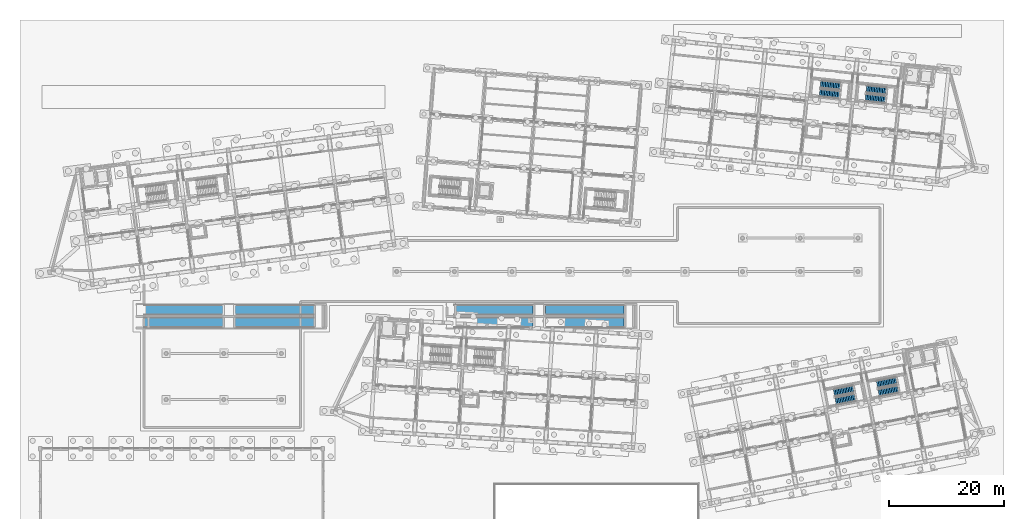
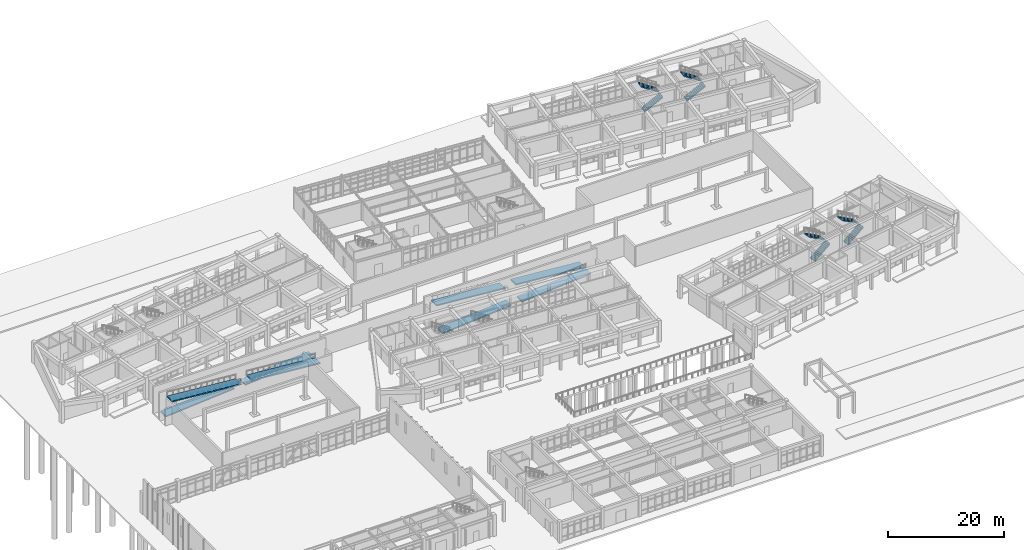
# One storey, part 132 of 154: 8 ramp flights, 8 stair flights, 8 elements without a shape of their own.
"""IFC4 building model written with IfcOpenShell, lengths in metres."""

from ifc_helpers import new_model, si_unit, direction, frame, origin, place, context, subcontext, project, spatial, polyline, outline, extrude, material, layer, layer_set, type_object, element, aggregate, save


model = new_model("IFC4")

# Units and contexts
model_context = context("Model", 3, precision=1e-05, world=origin(), true_north=direction((0.0, 1.0)))
body_context = subcontext(model_context, "Body", "Model", "MODEL_VIEW")
ifc_project = project(units=[si_unit("LENGTHUNIT", "METRE"), si_unit("AREAUNIT", "SQUARE_METRE"), si_unit("VOLUMEUNIT", "CUBIC_METRE"), si_unit("PLANEANGLEUNIT", "RADIAN"), si_unit("MASSUNIT", "GRAM", prefix="KILO")], contexts=[model_context])

# Site, building, storey
site_placement = place(None, origin())
site = spatial("IfcSite", under=ifc_project, at=site_placement, CompositionType="ELEMENT")
building_placement = place(site_placement, origin())
building = spatial("IfcBuilding", under=site, at=building_placement, Name="Kestramere Prow Commons", CompositionType="ELEMENT")
storey_placement = place(building_placement, origin())
storey = spatial("IfcBuildingStorey", under=building, at=storey_placement, Name="L00", CompositionType="ELEMENT", Elevation=0.0)

# Stair, stair flights
ifc_material_1 = material(Name="Concrete C40/50", Category="concrete")
stair_type = type_object("IfcStairType", Name="ST-DOG-1350", PredefinedType="HALF_TURN_STAIR", material=ifc_material_1)
stair_1_placement = place(storey_placement, origin())
stair_1 = element("IfcStair", 1, at=stair_1_placement, inside=storey, type_object=stair_type, Name="L00 Block B Exit Stair 1", PredefinedType="HALF_TURN_STAIR")
stair_flight_type = type_object("IfcStairFlightType", Name="SFL-1350", PredefinedType="STRAIGHT", material=ifc_material_1)
stair_flight_1_placement = place(storey_placement, frame((137.38916015625, 105.21923828125, 0.0), z_axis=(0.0, 0.0, 1.0), x_axis=(0.994521895368, -0.104528463268, 0.0)))
stair_flight_1 = element("IfcStairFlight", 2, at=stair_flight_1_placement, type_object=stair_flight_type, Name="ST-B1 flight 1", NumberOfRisers=13, NumberOfTreads=12, PredefinedType="STRAIGHT", RiserHeight=0.173076923, TreadLength=0.28, context=body_context, shape_type="SweptSolid", body=[
    extrude(outline(polyline([(-0.02490234375, 0.0), (0.0, 0.0), (0.0, 0.173095703125), (0.280029296875, 0.173095703125), (0.280029296875, 0.34619140625), (0.56005859375, 0.34619140625), (0.56005859375, 0.519287109375), (0.840087890625, 0.519287109375), (0.840087890625, 0.6923828125), (1.1201171875, 0.6923828125), (1.1201171875, 0.865478515625), (1.39990234375, 0.865478515625), (1.39990234375, 1.03857421875), (1.679931640625, 1.03857421875), (1.679931640625, 1.21142578125), (1.9599609375, 1.21142578125), (1.9599609375, 1.384521484375), (2.239990234375, 1.384521484375), (2.239990234375, 1.5576171875), (2.52001953125, 1.5576171875), (2.52001953125, 1.730712890625), (2.800048828125, 1.730712890625), (2.800048828125, 1.90380859375), (3.080078125, 1.90380859375), (3.080078125, 2.076904296875), (3.360107421875, 2.076904296875), (3.360107421875, 2.25), (3.385009765625, 2.25), (3.385009765625, 1.900634765625), (0.0, -0.14990234375), (-0.02490234375, -0.14990234375), (-0.02490234375, 0.0)])), frame((0.0, 0.675048828125, 0.0), z_axis=(0.0, -1.0, 0.0), x_axis=(1.0, 0.0, 0.0)), (0.0, 0.0, 1.0), 1.35009765625),
])
stair_flight_2_placement = place(storey_placement, frame((140.887451171875, 106.359619140625, 2.25), z_axis=(0.0, 0.0, 1.0), x_axis=(-0.994521895368, 0.104528463268, 0.0)))
stair_flight_2 = element("IfcStairFlight", 3, at=stair_flight_2_placement, type_object=stair_flight_type, Name="ST-B1 flight 2", NumberOfRisers=13, NumberOfTreads=12, PredefinedType="STRAIGHT", RiserHeight=0.173076923, TreadLength=0.28, context=body_context, shape_type="SweptSolid", body=[
    extrude(outline(polyline([(-0.02490234375, 0.0), (0.0, 0.0), (0.0, 0.173095703125), (0.280029296875, 0.173095703125), (0.280029296875, 0.34619140625), (0.56005859375, 0.34619140625), (0.56005859375, 0.519287109375), (0.840087890625, 0.519287109375), (0.840087890625, 0.6923828125), (1.1201171875, 0.6923828125), (1.1201171875, 0.865478515625), (1.39990234375, 0.865478515625), (1.39990234375, 1.03857421875), (1.679931640625, 1.03857421875), (1.679931640625, 1.21142578125), (1.9599609375, 1.21142578125), (1.9599609375, 1.384521484375), (2.239990234375, 1.384521484375), (2.239990234375, 1.5576171875), (2.52001953125, 1.5576171875), (2.52001953125, 1.730712890625), (2.800048828125, 1.730712890625), (2.800048828125, 1.90380859375), (3.080078125, 1.90380859375), (3.080078125, 2.076904296875), (3.360107421875, 2.076904296875), (3.360107421875, 2.25), (3.385009765625, 2.25), (3.385009765625, 1.900634765625), (0.0, -0.14990234375), (-0.02490234375, -0.14990234375), (-0.02490234375, 0.0)])), frame((0.0, 0.675048828125, 0.0), z_axis=(0.0, -1.0, 0.0), x_axis=(1.0, 0.0, 0.0)), (0.0, 0.0, 1.0), 1.35009765625),
])
aggregate(stair_1, [stair_flight_1, stair_flight_2])

stair_2_placement = place(storey_placement, origin())
stair_2 = element("IfcStair", 4, at=stair_2_placement, inside=storey, type_object=stair_type, Name="L00 Block B Exit Stair 2", PredefinedType="HALF_TURN_STAIR")
stair_flight_3_placement = place(storey_placement, frame((145.34521484375, 104.3828125, 0.0), z_axis=(0.0, 0.0, 1.0), x_axis=(0.994521895368, -0.104528463268, 0.0)))
stair_flight_3 = element("IfcStairFlight", 5, at=stair_flight_3_placement, type_object=stair_flight_type, Name="ST-B2 flight 1", NumberOfRisers=13, NumberOfTreads=12, PredefinedType="STRAIGHT", RiserHeight=0.173076923, TreadLength=0.28, context=body_context, shape_type="SweptSolid", body=[
    extrude(outline(polyline([(-0.02490234375, 0.0), (0.0, 0.0), (0.0, 0.173095703125), (0.280029296875, 0.173095703125), (0.280029296875, 0.34619140625), (0.56005859375, 0.34619140625), (0.56005859375, 0.519287109375), (0.840087890625, 0.519287109375), (0.840087890625, 0.6923828125), (1.1201171875, 0.6923828125), (1.1201171875, 0.865478515625), (1.39990234375, 0.865478515625), (1.39990234375, 1.03857421875), (1.679931640625, 1.03857421875), (1.679931640625, 1.21142578125), (1.9599609375, 1.21142578125), (1.9599609375, 1.384521484375), (2.239990234375, 1.384521484375), (2.239990234375, 1.5576171875), (2.52001953125, 1.5576171875), (2.52001953125, 1.730712890625), (2.800048828125, 1.730712890625), (2.800048828125, 1.90380859375), (3.080078125, 1.90380859375), (3.080078125, 2.076904296875), (3.360107421875, 2.076904296875), (3.360107421875, 2.25), (3.385009765625, 2.25), (3.385009765625, 1.900634765625), (0.0, -0.14990234375), (-0.02490234375, -0.14990234375), (-0.02490234375, 0.0)])), frame((0.0, 0.675048828125, 0.0), z_axis=(0.0, -1.0, 0.0), x_axis=(1.0, 0.0, 0.0)), (0.0, 0.0, 1.0), 1.35009765625),
])
stair_flight_4_placement = place(storey_placement, frame((148.84375, 105.5234375, 2.25), z_axis=(0.0, 0.0, 1.0), x_axis=(-0.994521895368, 0.104528463268, 0.0)))
stair_flight_4 = element("IfcStairFlight", 6, at=stair_flight_4_placement, type_object=stair_flight_type, Name="ST-B2 flight 2", NumberOfRisers=13, NumberOfTreads=12, PredefinedType="STRAIGHT", RiserHeight=0.173076923, TreadLength=0.28, context=body_context, shape_type="SweptSolid", body=[
    extrude(outline(polyline([(-0.02490234375, 0.0), (0.0, 0.0), (0.0, 0.173095703125), (0.280029296875, 0.173095703125), (0.280029296875, 0.34619140625), (0.56005859375, 0.34619140625), (0.56005859375, 0.519287109375), (0.840087890625, 0.519287109375), (0.840087890625, 0.6923828125), (1.1201171875, 0.6923828125), (1.1201171875, 0.865478515625), (1.39990234375, 0.865478515625), (1.39990234375, 1.03857421875), (1.679931640625, 1.03857421875), (1.679931640625, 1.21142578125), (1.9599609375, 1.21142578125), (1.9599609375, 1.384521484375), (2.239990234375, 1.384521484375), (2.239990234375, 1.5576171875), (2.52001953125, 1.5576171875), (2.52001953125, 1.730712890625), (2.800048828125, 1.730712890625), (2.800048828125, 1.90380859375), (3.080078125, 1.90380859375), (3.080078125, 2.076904296875), (3.360107421875, 2.076904296875), (3.360107421875, 2.25), (3.385009765625, 2.25), (3.385009765625, 1.900634765625), (0.0, -0.14990234375), (-0.02490234375, -0.14990234375), (-0.02490234375, 0.0)])), frame((0.0, 0.675048828125, 0.0), z_axis=(0.0, -1.0, 0.0), x_axis=(1.0, 0.0, 0.0)), (0.0, 0.0, 1.0), 1.35009765625),
])
aggregate(stair_2, [stair_flight_3, stair_flight_4])

stair_3_placement = place(storey_placement, origin())
stair_3 = element("IfcStair", 7, at=stair_3_placement, inside=storey, type_object=stair_type, Name="L00 Block D Exit Stair 1", PredefinedType="HALF_TURN_STAIR")
stair_flight_5_placement = place(storey_placement, frame((140.171875, 51.70458984375, 0.0), z_axis=(0.0, 0.0, 1.0), x_axis=(0.981627183448, 0.190808995377, 0.0)))
stair_flight_5 = element("IfcStairFlight", 8, at=stair_flight_5_placement, type_object=stair_flight_type, Name="ST-D1 flight 1", NumberOfRisers=13, NumberOfTreads=12, PredefinedType="STRAIGHT", RiserHeight=0.173076923, TreadLength=0.28, context=body_context, shape_type="SweptSolid", body=[
    extrude(outline(polyline([(-0.02490234375, 0.0), (0.0, 0.0), (0.0, 0.173095703125), (0.280029296875, 0.173095703125), (0.280029296875, 0.34619140625), (0.56005859375, 0.34619140625), (0.56005859375, 0.519287109375), (0.840087890625, 0.519287109375), (0.840087890625, 0.6923828125), (1.1201171875, 0.6923828125), (1.1201171875, 0.865478515625), (1.39990234375, 0.865478515625), (1.39990234375, 1.03857421875), (1.679931640625, 1.03857421875), (1.679931640625, 1.21142578125), (1.9599609375, 1.21142578125), (1.9599609375, 1.384521484375), (2.239990234375, 1.384521484375), (2.239990234375, 1.5576171875), (2.52001953125, 1.5576171875), (2.52001953125, 1.730712890625), (2.800048828125, 1.730712890625), (2.800048828125, 1.90380859375), (3.080078125, 1.90380859375), (3.080078125, 2.076904296875), (3.360107421875, 2.076904296875), (3.360107421875, 2.25), (3.385009765625, 2.25), (3.385009765625, 1.900634765625), (0.0, -0.14990234375), (-0.02490234375, -0.14990234375), (-0.02490234375, 0.0)])), frame((0.0, 0.675048828125, 0.0), z_axis=(0.0, -1.0, 0.0), x_axis=(1.0, 0.0, 0.0)), (0.0, 0.0, 1.0), 1.35009765625),
])
stair_flight_6_placement = place(storey_placement, frame((143.183837890625, 53.818115234375, 2.25), z_axis=(0.0, 0.0, 1.0), x_axis=(-0.981627183448, -0.190808995377, 0.0)))
stair_flight_6 = element("IfcStairFlight", 9, at=stair_flight_6_placement, type_object=stair_flight_type, Name="ST-D1 flight 2", NumberOfRisers=13, NumberOfTreads=12, PredefinedType="STRAIGHT", RiserHeight=0.173076923, TreadLength=0.28, context=body_context, shape_type="SweptSolid", body=[
    extrude(outline(polyline([(-0.02490234375, 0.0), (0.0, 0.0), (0.0, 0.173095703125), (0.280029296875, 0.173095703125), (0.280029296875, 0.34619140625), (0.56005859375, 0.34619140625), (0.56005859375, 0.519287109375), (0.840087890625, 0.519287109375), (0.840087890625, 0.6923828125), (1.1201171875, 0.6923828125), (1.1201171875, 0.865478515625), (1.39990234375, 0.865478515625), (1.39990234375, 1.03857421875), (1.679931640625, 1.03857421875), (1.679931640625, 1.21142578125), (1.9599609375, 1.21142578125), (1.9599609375, 1.384521484375), (2.239990234375, 1.384521484375), (2.239990234375, 1.5576171875), (2.52001953125, 1.5576171875), (2.52001953125, 1.730712890625), (2.800048828125, 1.730712890625), (2.800048828125, 1.90380859375), (3.080078125, 1.90380859375), (3.080078125, 2.076904296875), (3.360107421875, 2.076904296875), (3.360107421875, 2.25), (3.385009765625, 2.25), (3.385009765625, 1.900634765625), (0.0, -0.14990234375), (-0.02490234375, -0.14990234375), (-0.02490234375, 0.0)])), frame((0.0, 0.675048828125, 0.0), z_axis=(0.0, -1.0, 0.0), x_axis=(1.0, 0.0, 0.0)), (0.0, 0.0, 1.0), 1.35009765625),
])
aggregate(stair_3, [stair_flight_5, stair_flight_6])

stair_4_placement = place(storey_placement, origin())
stair_4 = element("IfcStair", 10, at=stair_4_placement, inside=storey, type_object=stair_type, Name="L00 Block D Exit Stair 2", PredefinedType="HALF_TURN_STAIR")
stair_flight_7_placement = place(storey_placement, frame((147.632080078125, 53.15478515625, 0.0), z_axis=(0.0, 0.0, 1.0), x_axis=(0.981627183448, 0.190808995377, 0.0)))
stair_flight_7 = element("IfcStairFlight", 11, at=stair_flight_7_placement, type_object=stair_flight_type, Name="ST-D2 flight 1", NumberOfRisers=13, NumberOfTreads=12, PredefinedType="STRAIGHT", RiserHeight=0.173076923, TreadLength=0.28, context=body_context, shape_type="SweptSolid", body=[
    extrude(outline(polyline([(-0.02490234375, 0.0), (0.0, 0.0), (0.0, 0.173095703125), (0.280029296875, 0.173095703125), (0.280029296875, 0.34619140625), (0.56005859375, 0.34619140625), (0.56005859375, 0.519287109375), (0.840087890625, 0.519287109375), (0.840087890625, 0.6923828125), (1.1201171875, 0.6923828125), (1.1201171875, 0.865478515625), (1.39990234375, 0.865478515625), (1.39990234375, 1.03857421875), (1.679931640625, 1.03857421875), (1.679931640625, 1.21142578125), (1.9599609375, 1.21142578125), (1.9599609375, 1.384521484375), (2.239990234375, 1.384521484375), (2.239990234375, 1.5576171875), (2.52001953125, 1.5576171875), (2.52001953125, 1.730712890625), (2.800048828125, 1.730712890625), (2.800048828125, 1.90380859375), (3.080078125, 1.90380859375), (3.080078125, 2.076904296875), (3.360107421875, 2.076904296875), (3.360107421875, 2.25), (3.385009765625, 2.25), (3.385009765625, 1.900634765625), (0.0, -0.14990234375), (-0.02490234375, -0.14990234375), (-0.02490234375, 0.0)])), frame((0.0, 0.675048828125, 0.0), z_axis=(0.0, -1.0, 0.0), x_axis=(1.0, 0.0, 0.0)), (0.0, 0.0, 1.0), 1.35009765625),
])
stair_flight_8_placement = place(storey_placement, frame((150.644287109375, 55.268310546875, 2.25), z_axis=(0.0, 0.0, 1.0), x_axis=(-0.981627183448, -0.190808995377, 0.0)))
stair_flight_8 = element("IfcStairFlight", 12, at=stair_flight_8_placement, type_object=stair_flight_type, Name="ST-D2 flight 2", NumberOfRisers=13, NumberOfTreads=12, PredefinedType="STRAIGHT", RiserHeight=0.173076923, TreadLength=0.28, context=body_context, shape_type="SweptSolid", body=[
    extrude(outline(polyline([(-0.02490234375, 0.0), (0.0, 0.0), (0.0, 0.173095703125), (0.280029296875, 0.173095703125), (0.280029296875, 0.34619140625), (0.56005859375, 0.34619140625), (0.56005859375, 0.519287109375), (0.840087890625, 0.519287109375), (0.840087890625, 0.6923828125), (1.1201171875, 0.6923828125), (1.1201171875, 0.865478515625), (1.39990234375, 0.865478515625), (1.39990234375, 1.03857421875), (1.679931640625, 1.03857421875), (1.679931640625, 1.21142578125), (1.9599609375, 1.21142578125), (1.9599609375, 1.384521484375), (2.239990234375, 1.384521484375), (2.239990234375, 1.5576171875), (2.52001953125, 1.5576171875), (2.52001953125, 1.730712890625), (2.800048828125, 1.730712890625), (2.800048828125, 1.90380859375), (3.080078125, 1.90380859375), (3.080078125, 2.076904296875), (3.360107421875, 2.076904296875), (3.360107421875, 2.25), (3.385009765625, 2.25), (3.385009765625, 1.900634765625), (0.0, -0.14990234375), (-0.02490234375, -0.14990234375), (-0.02490234375, 0.0)])), frame((0.0, 0.675048828125, 0.0), z_axis=(0.0, -1.0, 0.0), x_axis=(1.0, 0.0, 0.0)), (0.0, 0.0, 1.0), 1.35009765625),
])
aggregate(stair_4, [stair_flight_7, stair_flight_8])

# Ramp, ramp flights
ifc_material_2 = material(Name="Concrete C35/45", Category="concrete")
ramp_type = type_object("IfcRampType", Name="RMP-ACC-1800", PredefinedType="STRAIGHT_RUN_RAMP", material=ifc_material_2)
ramp_1_placement = place(storey_placement, origin())
ramp_1 = element("IfcRamp", 13, at=ramp_1_placement, inside=storey, type_object=ramp_type, Name="West Hillside Lower Accessible Ramp", PredefinedType="STRAIGHT_RUN_RAMP")
ifc_layer = layer(ifc_material_2, 0.25)
ifc_layer_set = layer_set([ifc_layer], Name="Concrete C35/45")
ramp_flight_type = type_object("IfcRampFlightType", Name="RFL-ACC-1800", PredefinedType="STRAIGHT", material=ifc_layer_set)
ramp_flight_1_placement = place(storey_placement, frame((20.199951171875, 67.550048828125, 0.0), z_axis=(0.0, 0.0, 1.0), x_axis=(1.0, 0.0, 0.0)))
ramp_flight_1 = element("IfcRampFlight", 14, at=ramp_flight_1_placement, type_object=ramp_flight_type, Name="West Hillside Lower Accessible Ramp Lower Flight", PredefinedType="STRAIGHT", context=body_context, shape_type="SweptSolid", body=[
    extrude(outline(polyline([(-0.02490234375, 0.0), (13.625, 1.125), (13.625, 0.875), (-0.02490234375, -0.25), (-0.02490234375, 0.0)])), frame((0.0, 0.89990234375, 0.0), z_axis=(0.0, -1.0, 0.0), x_axis=(1.0, 0.0, 0.0)), (0.0, 0.0, 1.0), 1.800048828125),
])
ramp_flight_2_placement = place(storey_placement, frame((36.0, 67.550048828125, 1.125), z_axis=(0.0, 0.0, 1.0), x_axis=(1.0, 0.0, 0.0)))
ramp_flight_2 = element("IfcRampFlight", 15, at=ramp_flight_2_placement, type_object=ramp_flight_type, Name="West Hillside Lower Accessible Ramp Upper Flight", PredefinedType="STRAIGHT", context=body_context, shape_type="SweptSolid", body=[
    extrude(outline(polyline([(-0.02490234375, 0.0), (13.625, 1.125), (13.625, 0.875), (-0.02490234375, -0.25), (-0.02490234375, 0.0)])), frame((0.0, 0.89990234375, 0.0), z_axis=(0.0, -1.0, 0.0), x_axis=(1.0, 0.0, 0.0)), (0.0, 0.0, 1.0), 1.800048828125),
])
aggregate(ramp_1, [ramp_flight_1, ramp_flight_2])

ramp_2_placement = place(storey_placement, origin())
ramp_2 = element("IfcRamp", 16, at=ramp_2_placement, inside=storey, type_object=ramp_type, Name="West Hillside Upper Accessible Ramp", PredefinedType="STRAIGHT_RUN_RAMP")
ramp_flight_3_placement = place(storey_placement, frame((49.60009765625, 65.35009765625, 2.25), z_axis=(0.0, 0.0, 1.0), x_axis=(-1.0, 0.0, 0.0)))
ramp_flight_3 = element("IfcRampFlight", 17, at=ramp_flight_3_placement, type_object=ramp_flight_type, Name="West Hillside Upper Accessible Ramp Lower Flight", PredefinedType="STRAIGHT", context=body_context, shape_type="SweptSolid", body=[
    extrude(outline(polyline([(-0.02490234375, 0.0), (13.625, 1.125), (13.625, 0.875), (-0.02490234375, -0.25), (-0.02490234375, 0.0)])), frame((0.0, 0.89990234375, 0.0), z_axis=(0.0, -1.0, 0.0), x_axis=(1.0, 0.0, 0.0)), (0.0, 0.0, 1.0), 1.800048828125),
])
ramp_flight_4_placement = place(storey_placement, frame((33.800048828125, 65.35009765625, 3.375), z_axis=(0.0, 0.0, 1.0), x_axis=(-1.0, 0.0, 0.0)))
ramp_flight_4 = element("IfcRampFlight", 18, at=ramp_flight_4_placement, type_object=ramp_flight_type, Name="West Hillside Upper Accessible Ramp Upper Flight", PredefinedType="STRAIGHT", context=body_context, shape_type="SweptSolid", body=[
    extrude(outline(polyline([(-0.02490234375, 0.0), (13.625, 1.125), (13.625, 0.875), (-0.02490234375, -0.25), (-0.02490234375, 0.0)])), frame((0.0, 0.89990234375, 0.0), z_axis=(0.0, -1.0, 0.0), x_axis=(1.0, 0.0, 0.0)), (0.0, 0.0, 1.0), 1.800048828125),
])
aggregate(ramp_2, [ramp_flight_3, ramp_flight_4])

ramp_3_placement = place(storey_placement, origin())
ramp_3 = element("IfcRamp", 19, at=ramp_3_placement, inside=storey, type_object=ramp_type, Name="Central Hillside Lower Accessible Ramp", PredefinedType="STRAIGHT_RUN_RAMP")
ramp_flight_5_placement = place(storey_placement, frame((74.0, 65.35009765625, 0.0), z_axis=(0.0, 0.0, 1.0), x_axis=(1.0, 0.0, 0.0)))
ramp_flight_5 = element("IfcRampFlight", 20, at=ramp_flight_5_placement, type_object=ramp_flight_type, Name="Central Hillside Lower Accessible Ramp Lower Flight", PredefinedType="STRAIGHT", context=body_context, shape_type="SweptSolid", body=[
    extrude(outline(polyline([(-0.02490234375, 0.0), (13.625, 1.125), (13.625, 0.875), (-0.02490234375, -0.25), (-0.02490234375, 0.0)])), frame((0.0, 0.89990234375, 0.0), z_axis=(0.0, -1.0, 0.0), x_axis=(1.0, 0.0, 0.0)), (0.0, 0.0, 1.0), 1.800048828125),
])
ramp_flight_6_placement = place(storey_placement, frame((89.800048828125, 65.35009765625, 1.125), z_axis=(0.0, 0.0, 1.0), x_axis=(1.0, 0.0, 0.0)))
ramp_flight_6 = element("IfcRampFlight", 21, at=ramp_flight_6_placement, type_object=ramp_flight_type, Name="Central Hillside Lower Accessible Ramp Upper Flight", PredefinedType="STRAIGHT", context=body_context, shape_type="SweptSolid", body=[
    extrude(outline(polyline([(-0.02490234375, 0.0), (13.624755859375, 1.125), (13.624755859375, 0.875), (-0.02490234375, -0.25), (-0.02490234375, 0.0)])), frame((0.0, 0.89990234375, 0.0), z_axis=(0.0, -1.0, 0.0), x_axis=(1.0, 0.0, 0.0)), (0.0, 0.0, 1.0), 1.800048828125),
])
aggregate(ramp_3, [ramp_flight_5, ramp_flight_6])

ramp_4_placement = place(storey_placement, origin())
ramp_4 = element("IfcRamp", 22, at=ramp_4_placement, inside=storey, type_object=ramp_type, Name="Central Hillside Upper Accessible Ramp", PredefinedType="STRAIGHT_RUN_RAMP")
ramp_flight_7_placement = place(storey_placement, frame((103.39990234375, 67.550048828125, 2.25), z_axis=(0.0, 0.0, 1.0), x_axis=(-1.0, 0.0, 0.0)))
ramp_flight_7 = element("IfcRampFlight", 23, at=ramp_flight_7_placement, type_object=ramp_flight_type, Name="Central Hillside Upper Accessible Ramp Lower Flight", PredefinedType="STRAIGHT", context=body_context, shape_type="SweptSolid", body=[
    extrude(outline(polyline([(-0.02490234375, 0.0), (13.624755859375, 1.125), (13.624755859375, 0.875), (-0.02490234375, -0.25), (-0.02490234375, 0.0)])), frame((0.0, 0.89990234375, 0.0), z_axis=(0.0, -1.0, 0.0), x_axis=(1.0, 0.0, 0.0)), (0.0, 0.0, 1.0), 1.800048828125),
])
ramp_flight_8_placement = place(storey_placement, frame((87.60009765625, 67.550048828125, 3.375), z_axis=(0.0, 0.0, 1.0), x_axis=(-1.0, 0.0, 0.0)))
ramp_flight_8 = element("IfcRampFlight", 24, at=ramp_flight_8_placement, type_object=ramp_flight_type, Name="Central Hillside Upper Accessible Ramp Upper Flight", PredefinedType="STRAIGHT", context=body_context, shape_type="SweptSolid", body=[
    extrude(outline(polyline([(-0.02490234375, 0.0), (13.625, 1.125), (13.625, 0.875), (-0.02490234375, -0.25), (-0.02490234375, 0.0)])), frame((0.0, 0.89990234375, 0.0), z_axis=(0.0, -1.0, 0.0), x_axis=(1.0, 0.0, 0.0)), (0.0, 0.0, 1.0), 1.800048828125),
])
aggregate(ramp_4, [ramp_flight_7, ramp_flight_8])

save(model, "model.ifc")
